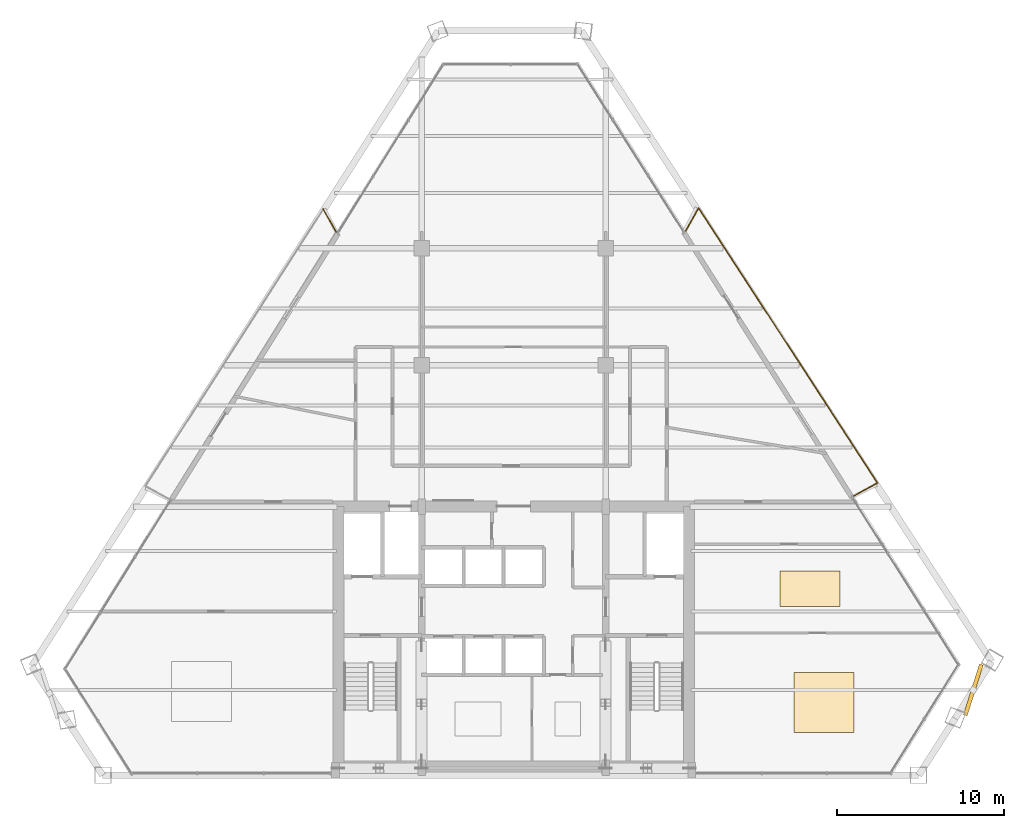
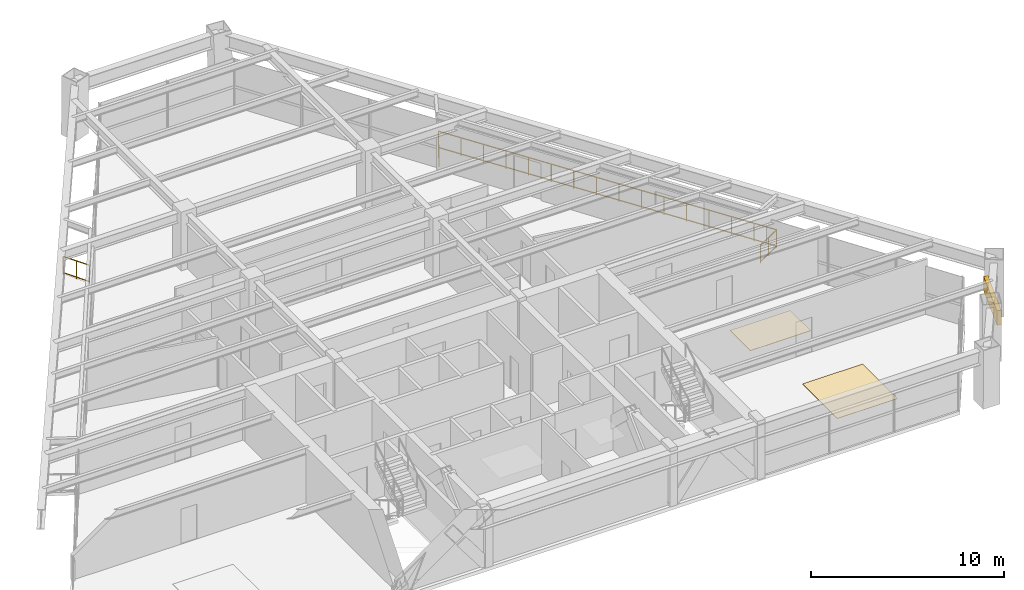
# One storey, part 15 of 15: 4 railings, 2 coverings, 1 shading device.
"""IFC4 building model written with IfcOpenShell, lengths in metres."""

from ifc_helpers import new_model, si_unit, direction, frame, origin, origin_2d, place, context, subcontext, project, spatial, rectangle, extrude, source, transform, mapped, material, layer, layer_set, type_object, type_shapes, element, save


model = new_model("IFC4")

# Units and contexts
model_context = context("Model", 3, precision=1e-05, world=origin(), true_north=direction((0.0, 1.0)))
body_context = subcontext(model_context, "Body", "Model", "MODEL_VIEW")
ifc_project = project(units=[si_unit("LENGTHUNIT", "METRE"), si_unit("AREAUNIT", "SQUARE_METRE"), si_unit("VOLUMEUNIT", "CUBIC_METRE"), si_unit("PLANEANGLEUNIT", "RADIAN"), si_unit("MASSUNIT", "GRAM", prefix="KILO")], contexts=[model_context])

# Site, building, storey
site_placement = place(None, origin())
site = spatial("IfcSite", under=ifc_project, at=site_placement, CompositionType="ELEMENT")
building_placement = place(site_placement, origin())
building = spatial("IfcBuilding", under=site, at=building_placement, Name="Varnakhor Terracotta Tower", CompositionType="ELEMENT")
storey_placement = place(building_placement, frame((0.0, 0.0, 178.39990234375)))
storey = spatial("IfcBuildingStorey", under=building, at=storey_placement, Name="L45", CompositionType="ELEMENT", Elevation=178.39990234375)

# Railings
ifc_material_1 = material(Name="Stainless Steel & Laminated Glass Guardrail", Category="steel")
railing_type = type_object("IfcRailingType", Name="RLG-LOGGIA-GUARD-1150", PredefinedType="GUARDRAIL", material=ifc_material_1)
railing_1_placement = place(storey_placement, frame((10.284912109375, 32.53857421875, 0.0)))
element("IfcRailing", 1, at=railing_1_placement, inside=storey, type_object=railing_type, Name="L45 E Loggia Glass Guard 1", PredefinedType="GUARDRAIL", context=body_context, shape_type="SweptSolid", body=[
    extrude(rectangle(XDim=0.048095703125, YDim=0.048095703125, at=origin_2d()), frame((0.0, 0.0, 1.1259765625), z_axis=(0.489576142324, 0.871960550064, 0.0), x_axis=(-0.871960550064, 0.489576142324, 0.0)), (0.0, 0.0, 1.0), 1.57373046875),
    extrude(rectangle(XDim=0.048095703125, YDim=0.048095703125, at=origin_2d()), frame((0.0, 0.0, 0.10009765625), z_axis=(0.489576142324, 0.871960550064, 0.0), x_axis=(-0.871960550064, 0.489576142324, 0.0)), (0.0, 0.0, 1.0), 1.57373046875),
    extrude(rectangle(XDim=0.0419921875, YDim=0.0419921875, at=origin_2d()), origin(), (0.0, 0.0, 1.0), 1.101806640625),
    extrude(rectangle(XDim=0.0419921875, YDim=0.0419921875, at=origin_2d()), frame((0.38525390625, 0.68603515625, 0.0)), (0.0, 0.0, 1.0), 1.101806640625),
    extrude(rectangle(XDim=0.0419921875, YDim=0.0419921875, at=origin_2d()), frame((0.7705078125, 1.372314453125, 0.0)), (0.0, 0.0, 1.0), 1.101806640625),
])
railing_2_placement = place(storey_placement, frame((11.055419921875, 33.910888671875, 0.0)))
element("IfcRailing", 2, at=railing_2_placement, inside=storey, type_object=railing_type, Name="L45 E Loggia Glass Guard 2", PredefinedType="GUARDRAIL", context=body_context, shape_type="SweptSolid", body=[
    extrude(rectangle(XDim=0.048095703125, YDim=0.048095703125, at=origin_2d()), frame((0.0, 0.0, 1.1259765625), z_axis=(0.545277607312, -0.838255528442, 0.0), x_axis=(0.838255528442, 0.545277607312, 0.0)), (0.0, 0.0, 1.0), 19.607666015625),
    extrude(rectangle(XDim=0.048095703125, YDim=0.048095703125, at=origin_2d()), frame((0.0, 0.0, 0.10009765625), z_axis=(0.545277607312, -0.838255528442, 0.0), x_axis=(0.838255528442, 0.545277607312, 0.0)), (0.0, 0.0, 1.0), 19.607666015625),
    extrude(rectangle(XDim=0.0419921875, YDim=0.0419921875, at=origin_2d()), origin(), (0.0, 0.0, 1.0), 1.101806640625),
    extrude(rectangle(XDim=0.0419921875, YDim=0.0419921875, at=origin_2d()), frame((0.712890625, -1.095703125, 0.0)), (0.0, 0.0, 1.0), 1.101806640625),
    extrude(rectangle(XDim=0.0419921875, YDim=0.0419921875, at=origin_2d()), frame((1.425537109375, -2.19140625, 0.0)), (0.0, 0.0, 1.0), 1.101806640625),
    extrude(rectangle(XDim=0.0419921875, YDim=0.0419921875, at=origin_2d()), frame((2.138427734375, -3.287353515625, 0.0)), (0.0, 0.0, 1.0), 1.101806640625),
    extrude(rectangle(XDim=0.0419921875, YDim=0.0419921875, at=origin_2d()), frame((2.85107421875, -4.383056640625, 0.0)), (0.0, 0.0, 1.0), 1.101806640625),
    extrude(rectangle(XDim=0.0419921875, YDim=0.0419921875, at=origin_2d()), frame((3.56396484375, -5.478759765625, 0.0)), (0.0, 0.0, 1.0), 1.101806640625),
    extrude(rectangle(XDim=0.0419921875, YDim=0.0419921875, at=origin_2d()), frame((4.276611328125, -6.574462890625, 0.0)), (0.0, 0.0, 1.0), 1.101806640625),
    extrude(rectangle(XDim=0.0419921875, YDim=0.0419921875, at=origin_2d()), frame((4.989501953125, -7.670166015625, 0.0)), (0.0, 0.0, 1.0), 1.101806640625),
    extrude(rectangle(XDim=0.0419921875, YDim=0.0419921875, at=origin_2d()), frame((5.7021484375, -8.76611328125, 0.0)), (0.0, 0.0, 1.0), 1.101806640625),
    extrude(rectangle(XDim=0.0419921875, YDim=0.0419921875, at=origin_2d()), frame((6.4150390625, -9.86181640625, 0.0)), (0.0, 0.0, 1.0), 1.101806640625),
    extrude(rectangle(XDim=0.0419921875, YDim=0.0419921875, at=origin_2d()), frame((7.127685546875, -10.95751953125, 0.0)), (0.0, 0.0, 1.0), 1.101806640625),
    extrude(rectangle(XDim=0.0419921875, YDim=0.0419921875, at=origin_2d()), frame((7.840576171875, -12.05322265625, 0.0)), (0.0, 0.0, 1.0), 1.101806640625),
    extrude(rectangle(XDim=0.0419921875, YDim=0.0419921875, at=origin_2d()), frame((8.55322265625, -13.14892578125, 0.0)), (0.0, 0.0, 1.0), 1.101806640625),
    extrude(rectangle(XDim=0.0419921875, YDim=0.0419921875, at=origin_2d()), frame((9.26611328125, -14.244873046875, 0.0)), (0.0, 0.0, 1.0), 1.101806640625),
    extrude(rectangle(XDim=0.0419921875, YDim=0.0419921875, at=origin_2d()), frame((9.978759765625, -15.340576171875, 0.0)), (0.0, 0.0, 1.0), 1.101806640625),
    extrude(rectangle(XDim=0.0419921875, YDim=0.0419921875, at=origin_2d()), frame((10.691650390625, -16.436279296875, 0.0)), (0.0, 0.0, 1.0), 1.101806640625),
])
railing_3_placement = place(storey_placement, frame((21.7470703125, 17.474609375, 0.0)))
element("IfcRailing", 3, at=railing_3_placement, inside=storey, type_object=railing_type, Name="L45 E Loggia Glass Guard 3", PredefinedType="GUARDRAIL", context=body_context, shape_type="SweptSolid", body=[
    extrude(rectangle(XDim=0.048095703125, YDim=0.048095703125, at=origin_2d()), frame((0.0, 0.0, 1.1259765625), z_axis=(-0.876075454132, -0.482174033589, 0.0), x_axis=(0.482174033589, -0.876075454132, 0.0)), (0.0, 0.0, 1.0), 1.615234375),
    extrude(rectangle(XDim=0.048095703125, YDim=0.048095703125, at=origin_2d()), frame((0.0, 0.0, 0.10009765625), z_axis=(-0.876075454132, -0.482174033589, 0.0), x_axis=(0.482174033589, -0.876075454132, 0.0)), (0.0, 0.0, 1.0), 1.615234375),
    extrude(rectangle(XDim=0.0419921875, YDim=0.0419921875, at=origin_2d()), origin(), (0.0, 0.0, 1.0), 1.101806640625),
    extrude(rectangle(XDim=0.0419921875, YDim=0.0419921875, at=origin_2d()), frame((-0.70751953125, -0.389404296875, 0.0)), (0.0, 0.0, 1.0), 1.101806640625),
    extrude(rectangle(XDim=0.0419921875, YDim=0.0419921875, at=origin_2d()), frame((-1.4150390625, -0.77880859375, 0.0)), (0.0, 0.0, 1.0), 1.101806640625),
])
railing_4_placement = place(storey_placement, frame((-11.38232421875, 33.83642578125, 0.0)))
element("IfcRailing", 4, at=railing_4_placement, inside=storey, type_object=railing_type, Name="L45 W Loggia Glass Guard 3", PredefinedType="GUARDRAIL", context=body_context, shape_type="SweptSolid", body=[
    extrude(rectangle(XDim=0.048095703125, YDim=0.048095703125, at=origin_2d()), frame((0.0, 0.0, 1.1259765625), z_axis=(0.491903804424, -0.870649554754, 0.0), x_axis=(0.870649554754, 0.491903804424, 0.0)), (0.0, 0.0, 1.0), 1.57275390625),
    extrude(rectangle(XDim=0.048095703125, YDim=0.048095703125, at=origin_2d()), frame((0.0, 0.0, 0.10009765625), z_axis=(0.491903804424, -0.870649554754, 0.0), x_axis=(0.870649554754, 0.491903804424, 0.0)), (0.0, 0.0, 1.0), 1.57275390625),
    extrude(rectangle(XDim=0.0419921875, YDim=0.0419921875, at=origin_2d()), origin(), (0.0, 0.0, 1.0), 1.101806640625),
    extrude(rectangle(XDim=0.0419921875, YDim=0.0419921875, at=origin_2d()), frame((0.38671875, -0.6845703125, 0.0)), (0.0, 0.0, 1.0), 1.101806640625),
    extrude(rectangle(XDim=0.0419921875, YDim=0.0419921875, at=origin_2d()), frame((0.773681640625, -1.369384765625, 0.0)), (0.0, 0.0, 1.0), 1.101806640625),
])

# Shading device
ifc_material_2 = material(Name="Extruded Architectural Terracotta Screen", Category="masonry")
shading_device_type = type_object("IfcShadingDeviceType", Name="TERRACOTTA SOLAR SCREEN E", PredefinedType="USERDEFINED", material=ifc_material_2)
shared_shape_1 = source(origin(), body_context, "Body", "SweptSolid", [
    extrude(rectangle(XDim=3.199951171875, YDim=0.239990234375, at=origin_2d()), origin(), (0.0, 0.0, 1.0), 0.919921875),
])
type_shapes(shading_device_type, [shared_shape_1])
shading_device_placement = place(storey_placement, frame((27.478271484375, 5.095947265625, 1.710205078125), z_axis=(0.0, 0.0, 1.0), x_axis=(0.302669329504, 0.953095628454, 0.0)))
element("IfcShadingDevice", 5, at=shading_device_placement, inside=storey, type_object=shading_device_type, Name="L45 E Terracotta Solar Screen", ObjectType="SCREEN", PredefinedType="USERDEFINED", context=body_context, shape_type="MappedRepresentation", body=[
    mapped(shared_shape_1, transform((0.0, 0.0, 0.0), scale=1.0)),
])

# Coverings
ifc_material_3 = material(Name="Honed Riyadh Limestone Flooring", Category="masonry")
ifc_layer = layer(ifc_material_3, 0.030029296875, Name="Honed Riyadh Limestone Flooring")
ifc_layer_set = layer_set([ifc_layer], Name="Honed Riyadh Limestone Flooring")
covering_type = type_object("IfcCoveringType", Name="COV-FLOOR-LIMESTONE", PredefinedType="FLOORING", material=ifc_layer_set)
shared_shape_2 = source(origin(), body_context, "Body", "SweptSolid", [
    extrude(rectangle(XDim=3.60009765625, YDim=3.60009765625, at=origin_2d()), origin(), (0.0, 0.0, 1.0), 0.02001953125),
])
covering_1_placement = place(storey_placement, frame((18.548095703125, 4.35205078125, 0.0), z_axis=(0.0, 0.0, 1.0), x_axis=(1.0, 0.0, 0.0)))
element("IfcCovering", 6, at=covering_1_placement, inside=storey, type_object=covering_type, Name="L45 Honed Stone Flooring 3", PredefinedType="FLOORING", context=body_context, shape_type="MappedRepresentation", body=[
    mapped(shared_shape_2, transform((0.0, 0.0, 0.0), scale=1.0)),
])
shared_shape_3 = source(origin(), body_context, "Body", "SweptSolid", [
    extrude(rectangle(XDim=3.60009765625, YDim=2.115966796875, at=origin_2d()), origin(), (0.0, 0.0, 1.0), 0.02001953125),
])
covering_2_placement = place(storey_placement, frame((17.718994140625, 11.14990234375, 0.0), z_axis=(0.0, 0.0, 1.0), x_axis=(1.0, 0.0, 0.0)))
element("IfcCovering", 7, at=covering_2_placement, inside=storey, type_object=covering_type, Name="L45 Honed Stone Flooring 5", PredefinedType="FLOORING", context=body_context, shape_type="MappedRepresentation", body=[
    mapped(shared_shape_3, transform((0.0, 0.0, 0.0), scale=1.0)),
])

save(model, "model.ifc")
